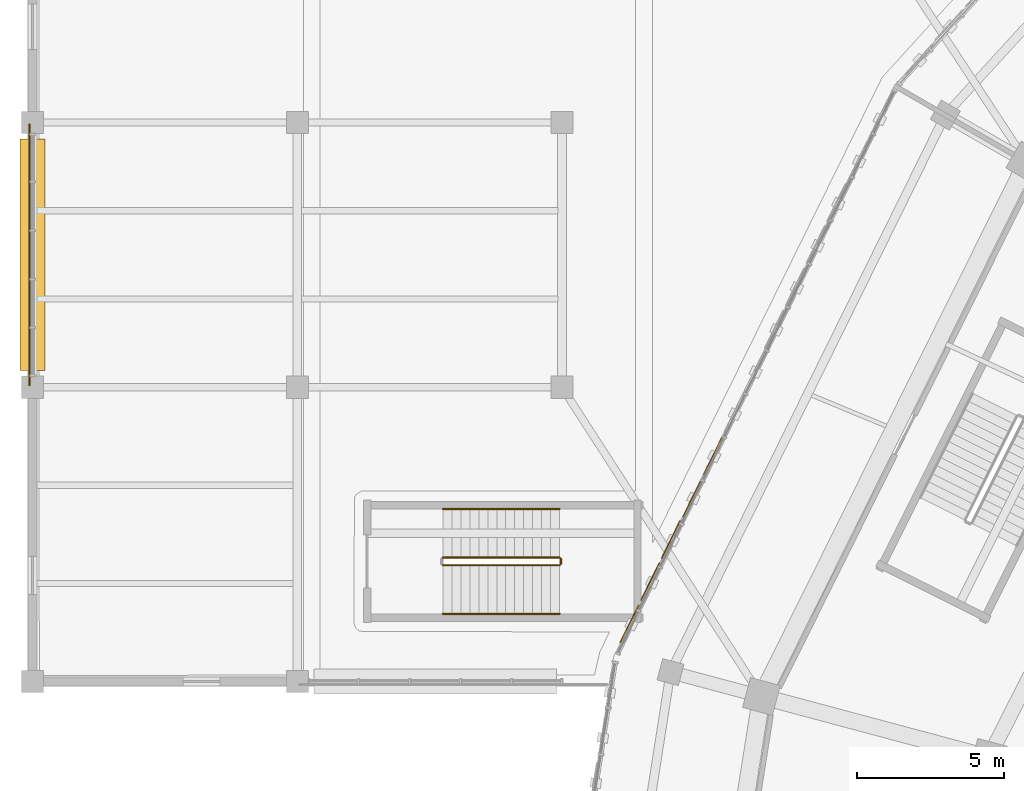
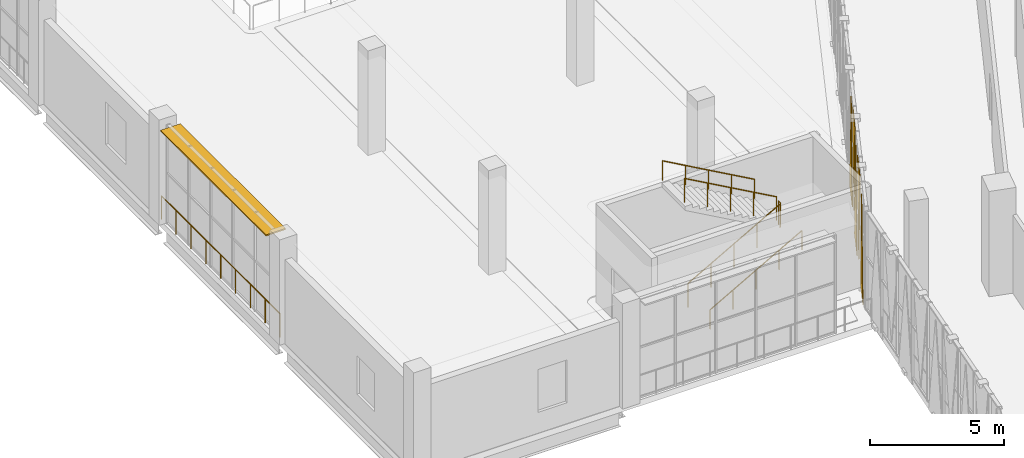
# One storey, part 139 of 179: 6 railings, 5 coverings, 1 shading device.
"""IFC4 building model written with IfcOpenShell, lengths in metres."""

from ifc_helpers import new_model, si_unit, direction, frame, origin, origin_2d, place, context, subcontext, project, spatial, polyline, rectangle, circle, outline, extrude, material, layer, layer_set, type_object, element, save


model = new_model("IFC4")

# Units and contexts
model_context = context("Model", 3, precision=1e-05, world=origin(), true_north=direction((0.0, 1.0)))
body_context = subcontext(model_context, "Body", "Model", "MODEL_VIEW")
ifc_project = project(units=[si_unit("LENGTHUNIT", "METRE"), si_unit("AREAUNIT", "SQUARE_METRE"), si_unit("VOLUMEUNIT", "CUBIC_METRE"), si_unit("PLANEANGLEUNIT", "RADIAN"), si_unit("MASSUNIT", "GRAM", prefix="KILO")], contexts=[model_context])

# Site, building, storey
site_placement = place(None, origin())
site = spatial("IfcSite", under=ifc_project, at=site_placement, CompositionType="ELEMENT")
building_placement = place(site_placement, origin())
building = spatial("IfcBuilding", under=site, at=building_placement, Name="Zevraka Park Crest Stadium", CompositionType="ELEMENT")
storey_placement = place(building_placement, frame((0.0, 0.0, 10.199951171875)))
storey = spatial("IfcBuildingStorey", under=building, at=storey_placement, Name="L02", CompositionType="ELEMENT", Elevation=10.199951171875)

# Coverings
ifc_material_1 = material(Name="Architectural golden-bronze perforated aluminium", Category="aluminium")
ifc_layer_1 = layer(ifc_material_1, 0.034912109375)
ifc_layer_set_1 = layer_set([ifc_layer_1], Name="Architectural golden-bronze perforated aluminium")
covering_type = type_object("IfcCoveringType", Name="CLD01", PredefinedType="CLADDING", material=ifc_layer_set_1)
covering_1_placement = place(storey_placement, frame((23.43408203125, 120.323974609375, -0.239990234375), z_axis=(-0.89746809511, 0.441079372749, 7.2074213e-05), x_axis=(-0.441079373894, -0.897468097441, 0.0)))
element("IfcCovering", 1, at=covering_1_placement, inside=storey, type_object=covering_type, Name="Triangular Golden-Bronze Perforated Cladding L02-10-9", PredefinedType="CLADDING", context=body_context, shape_type="SweptSolid", body=[
    extrude(outline(polyline([(0.0, 0.0), (1.4352442623555979, -6.776263578034403e-21), (0.7174606030867732, 4.56005860559405), (0.0, 0.0)])), origin(), (0.0, 0.0, -1.0), 0.034912109375),
])
covering_2_placement = place(storey_placement, frame((22.097900390625, 117.60498046875, 4.47998046875), z_axis=(-0.897335593243, 0.441348860637, 0.000127726581), x_axis=(0.441348864237, 0.897335600562, 0.0)))
element("IfcCovering", 2, at=covering_2_placement, inside=storey, type_object=covering_type, Name="Triangular Golden-Bronze Perforated Cladding L02-10-10", PredefinedType="CLADDING", context=body_context, shape_type="SweptSolid", body=[
    extrude(outline(polyline([(0.0, 0.0), (1.4343678933426742, -1.3552527156068805e-20), (0.7174604720387123, 4.26000980037407), (0.0, 0.0)])), origin(), (0.0, 0.0, -1.0), 0.034912109375),
])
covering_3_placement = place(storey_placement, frame((22.027099609375, 117.4609375, -0.239990234375), z_axis=(0.897704327288, -0.44059838926, 1.223648e-05), x_axis=(-0.440598389293, -0.897704327355, 0.0)))
element("IfcCovering", 3, at=covering_3_placement, inside=storey, type_object=covering_type, Name="Triangular Golden-Bronze Perforated Cladding L02-10-11", PredefinedType="CLADDING", context=body_context, shape_type="SweptSolid", body=[
    extrude(outline(polyline([(0.0, 0.0), (1.4345946183297689, 8.470329472543003e-22), (0.7174606761957254, -4.560058594091393), (0.0, 0.0)])), origin(), (0.0, 0.0, -1.0), 0.034912109375),
])
covering_4_placement = place(storey_placement, frame((20.69091796875, 114.741943359375, 4.47998046875), z_axis=(0.897468090022, -0.441079370248, 0.000128584459), x_axis=(0.441079373894, 0.897468097441, 0.0)))
element("IfcCovering", 4, at=covering_4_placement, inside=storey, type_object=covering_type, Name="Triangular Golden-Bronze Perforated Cladding L02-10-12", PredefinedType="CLADDING", context=body_context, shape_type="SweptSolid", body=[
    extrude(outline(polyline([(0.0, 0.0), (1.4352442623555979, 0.0), (0.7178913446628418, -4.260009800842423), (0.0, 0.0)])), origin(), (0.0, 0.0, -1.0), 0.034912109375),
])
covering_5_placement = place(storey_placement, frame((20.62109375, 114.597900390625, -0.239990234375), z_axis=(0.897302423981, -0.441416274973, 0.000179183893), x_axis=(-0.441416282059, -0.897302438386, 0.0)))
element("IfcCovering", 5, at=covering_5_placement, inside=storey, type_object=covering_type, Name="Triangular Golden-Bronze Perforated Cladding L02-10-13", PredefinedType="CLADDING", context=body_context, shape_type="SweptSolid", body=[
    extrude(outline(polyline([(0.0, 0.0), (1.4341488213161262, 0.0), (0.7167961598302272, -4.560058666954599), (0.0, 0.0)])), origin(), (0.0, 0.0, -1.0), 0.034912109375),
])

# Railings
ifc_material_2 = material(Name="Galvanised and bronze-finished steel balustrade", Category="steel")
railing_type_1 = type_object("IfcRailingType", Name="GR01", PredefinedType="GUARDRAIL", material=ifc_material_2)
railing_1_placement = place(storey_placement, frame((-0.10498046875, 122.06591796875, 0.0)))
element("IfcRailing", 6, at=railing_1_placement, inside=storey, type_object=railing_type_1, Name="Deck Edge Protection Guardrail GR01 L02-51", PredefinedType="GUARDRAIL", context=body_context, shape_type="SweptSolid", body=[
    extrude(circle(Radius=0.02392578125, at=origin_2d()), frame((0.0, 0.0, 1.076171875), z_axis=(0.0, 1.0, 0.0), x_axis=(-1.0, 0.0, 0.0)), (0.0, 0.0, 1.0), 8.8681640625),
    extrude(circle(Radius=0.02099609375, at=origin_2d()), origin(), (0.0, 0.0, 1.0), 1.052001953125),
    extrude(circle(Radius=0.02099609375, at=origin_2d()), frame((0.0, 1.1083984375, 0.0)), (0.0, 0.0, 1.0), 1.052001953125),
    extrude(circle(Radius=0.02099609375, at=origin_2d()), frame((0.0, 2.217041015625, 0.0)), (0.0, 0.0, 1.0), 1.052001953125),
    extrude(circle(Radius=0.02099609375, at=origin_2d()), frame((0.0, 3.32568359375, 0.0)), (0.0, 0.0, 1.0), 1.052001953125),
    extrude(circle(Radius=0.02099609375, at=origin_2d()), frame((0.0, 4.43408203125, 0.0)), (0.0, 0.0, 1.0), 1.052001953125),
    extrude(circle(Radius=0.02099609375, at=origin_2d()), frame((0.0, 5.54248046875, 0.0)), (0.0, 0.0, 1.0), 1.052001953125),
    extrude(circle(Radius=0.02099609375, at=origin_2d()), frame((0.0, 6.651123046875, 0.0)), (0.0, 0.0, 1.0), 1.052001953125),
    extrude(circle(Radius=0.02099609375, at=origin_2d()), frame((0.0, 7.759765625, 0.0)), (0.0, 0.0, 1.0), 1.052001953125),
    extrude(circle(Radius=0.02099609375, at=origin_2d()), frame((0.0, 8.8681640625, 0.0)), (0.0, 0.0, 1.0), 1.052001953125),
])
ifc_material_3 = material(Name="Powder-coated tubular steel stairwell guard", Category="steel")
railing_type_2 = type_object("IfcRailingType", Name="GR03", PredefinedType="GUARDRAIL", material=ifc_material_3)
railing_2_placement = place(storey_placement, frame((13.949951171875, 115.949951171875, 0.17138671875)))
element("IfcRailing", 7, at=railing_2_placement, inside=storey, type_object=railing_type_2, Name="L02 ST48 stair guard 1", PredefinedType="GUARDRAIL", context=body_context, shape_type="SweptSolid", body=[
    extrude(circle(Radius=0.02392578125, at=origin_2d()), frame((0.0, 0.0, 1.076171875), z_axis=(0.871726007364, 0.0, 0.489993640861), x_axis=(0.0, 1.0, 0.0)), (0.0, 0.0, 1.0), 4.548583984375),
    extrude(circle(Radius=0.02099609375, at=origin_2d()), origin(), (0.0, 0.0, 1.0), 1.052001953125),
    extrude(circle(Radius=0.02099609375, at=origin_2d()), frame((0.9912109375, 0.0, 0.55712890625)), (0.0, 0.0, 1.0), 1.052001953125),
    extrude(circle(Radius=0.02099609375, at=origin_2d()), frame((1.982421875, 0.0, 1.1142578125)), (0.0, 0.0, 1.0), 1.052001953125),
    extrude(circle(Radius=0.02099609375, at=origin_2d()), frame((2.973876953125, 0.0, 1.671630859375)), (0.0, 0.0, 1.0), 1.052001953125),
    extrude(circle(Radius=0.02099609375, at=origin_2d()), frame((3.965087890625, 0.0, 2.228759765625)), (0.0, 0.0, 1.0), 1.052001953125),
])
railing_3_placement = place(storey_placement, frame((17.965087890625, 116.0, 2.400146484375)))
element("IfcRailing", 8, at=railing_3_placement, inside=storey, type_object=railing_type_2, Name="L02 ST48 stair guard 2", PredefinedType="GUARDRAIL", context=body_context, shape_type="SweptSolid", body=[
    extrude(circle(Radius=0.02392578125, at=origin_2d()), frame((0.0, 0.0, 1.076171875), z_axis=(0.0, 1.0, 0.0), x_axis=(-1.0, 0.0, 0.0)), (0.0, 0.0, 1.0), 0.159912109375),
    extrude(circle(Radius=0.02099609375, at=origin_2d()), origin(), (0.0, 0.0, 1.0), 1.052001953125),
    extrude(circle(Radius=0.02099609375, at=origin_2d()), frame((0.0, 0.159912109375, 0.0)), (0.0, 0.0, 1.0), 1.052001953125),
])
railing_4_placement = place(storey_placement, frame((17.9150390625, 116.2099609375, 2.571533203125)))
element("IfcRailing", 9, at=railing_4_placement, inside=storey, type_object=railing_type_2, Name="L02 ST48 stair guard 3", PredefinedType="GUARDRAIL", context=body_context, shape_type="SweptSolid", body=[
    extrude(circle(Radius=0.02392578125, at=origin_2d()), frame((0.0, 0.0, 1.076171875), z_axis=(-0.871748933509, 0.0, 0.489952851738), x_axis=(0.0, -1.0, 0.0)), (0.0, 0.0, 1.0), 4.54833984375),
    extrude(circle(Radius=0.02099609375, at=origin_2d()), origin(), (0.0, 0.0, 1.0), 1.052001953125),
    extrude(circle(Radius=0.02099609375, at=origin_2d()), frame((-0.9912109375, 0.0, 0.55712890625)), (0.0, 0.0, 1.0), 1.052001953125),
    extrude(circle(Radius=0.02099609375, at=origin_2d()), frame((-1.982421875, 0.0, 1.1142578125)), (0.0, 0.0, 1.0), 1.052001953125),
    extrude(circle(Radius=0.02099609375, at=origin_2d()), frame((-2.973876953125, 0.0, 1.67138671875)), (0.0, 0.0, 1.0), 1.052001953125),
    extrude(circle(Radius=0.02099609375, at=origin_2d()), frame((-3.965087890625, 0.0, 2.228515625)), (0.0, 0.0, 1.0), 1.052001953125),
])
ifc_material_4 = material(Name="Brushed stainless steel continuous handrail", Category="steel")
railing_type_3 = type_object("IfcRailingType", Name="HR01", PredefinedType="HANDRAIL", material=ifc_material_4)
railing_5_placement = place(storey_placement, frame((13.949951171875, 114.300048828125, 0.17138671875)))
element("IfcRailing", 10, at=railing_5_placement, inside=storey, type_object=railing_type_3, Name="L02 ST48 stair handrail 1", PredefinedType="HANDRAIL", context=body_context, shape_type="SweptSolid", body=[
    extrude(circle(Radius=0.02392578125, at=origin_2d()), frame((0.0, 0.0, 0.8759765625), z_axis=(0.871726007364, 0.0, 0.489993640861), x_axis=(0.0, 1.0, 0.0)), (0.0, 0.0, 1.0), 4.548583984375),
    extrude(circle(Radius=0.02099609375, at=origin_2d()), origin(), (0.0, 0.0, 1.0), 0.851806640625),
    extrude(circle(Radius=0.02099609375, at=origin_2d()), frame((0.9912109375, 0.0, 0.55712890625)), (0.0, 0.0, 1.0), 0.851806640625),
    extrude(circle(Radius=0.02099609375, at=origin_2d()), frame((1.982421875, 0.0, 1.1142578125)), (0.0, 0.0, 1.0), 0.851806640625),
    extrude(circle(Radius=0.02099609375, at=origin_2d()), frame((2.973876953125, 0.0, 1.671630859375)), (0.0, 0.0, 1.0), 0.851806640625),
    extrude(circle(Radius=0.02099609375, at=origin_2d()), frame((3.965087890625, 0.0, 2.228759765625)), (0.0, 0.0, 1.0), 0.851806640625),
])
railing_6_placement = place(storey_placement, frame((17.9150390625, 117.860107421875, 2.571533203125)))
element("IfcRailing", 11, at=railing_6_placement, inside=storey, type_object=railing_type_3, Name="L02 ST48 stair handrail 2", PredefinedType="HANDRAIL", context=body_context, shape_type="SweptSolid", body=[
    extrude(circle(Radius=0.02392578125, at=origin_2d()), frame((0.0, 0.0, 0.8759765625), z_axis=(-0.871748933509, 0.0, 0.489952851738), x_axis=(0.0, -1.0, 0.0)), (0.0, 0.0, 1.0), 4.54833984375),
    extrude(circle(Radius=0.02099609375, at=origin_2d()), origin(), (0.0, 0.0, 1.0), 0.851806640625),
    extrude(circle(Radius=0.02099609375, at=origin_2d()), frame((-0.9912109375, 0.0, 0.55712890625)), (0.0, 0.0, 1.0), 0.851806640625),
    extrude(circle(Radius=0.02099609375, at=origin_2d()), frame((-1.982421875, 0.0, 1.1142578125)), (0.0, 0.0, 1.0), 0.851806640625),
    extrude(circle(Radius=0.02099609375, at=origin_2d()), frame((-2.973876953125, 0.0, 1.67138671875)), (0.0, 0.0, 1.0), 0.851806640625),
    extrude(circle(Radius=0.02099609375, at=origin_2d()), frame((-3.965087890625, 0.0, 2.228515625)), (0.0, 0.0, 1.0), 0.851806640625),
])

# Shading device
ifc_material_5 = material(Name="Architectural golden-bronze anodised bronze", Category="aluminium")
ifc_layer_2 = layer(ifc_material_5, 0.06005859375)
ifc_layer_set_2 = layer_set([ifc_layer_2], Name="Architectural golden-bronze anodised bronze")
shading_device_type = type_object("IfcShadingDeviceType", Name="SHD01", PredefinedType="USERDEFINED", material=ifc_layer_set_2)
shading_device_placement = place(storey_placement, frame((0.0, 126.5, 4.419921875), z_axis=(0.0, 0.0, 1.0), x_axis=(0.0, 1.0, 0.0)))
element("IfcShadingDevice", 12, at=shading_device_placement, inside=storey, type_object=shading_device_type, Name="Wing Bronze Solar Screen SHD01 L02-NW-W-2", ObjectType="SOLAR SCREEN", PredefinedType="USERDEFINED", context=body_context, shape_type="SweptSolid", body=[
    extrude(rectangle(XDim=7.8701171875, YDim=0.85009765625, at=origin_2d()), origin(), (0.0, 0.0, 1.0), 0.06005859375),
])

save(model, "model.ifc")
